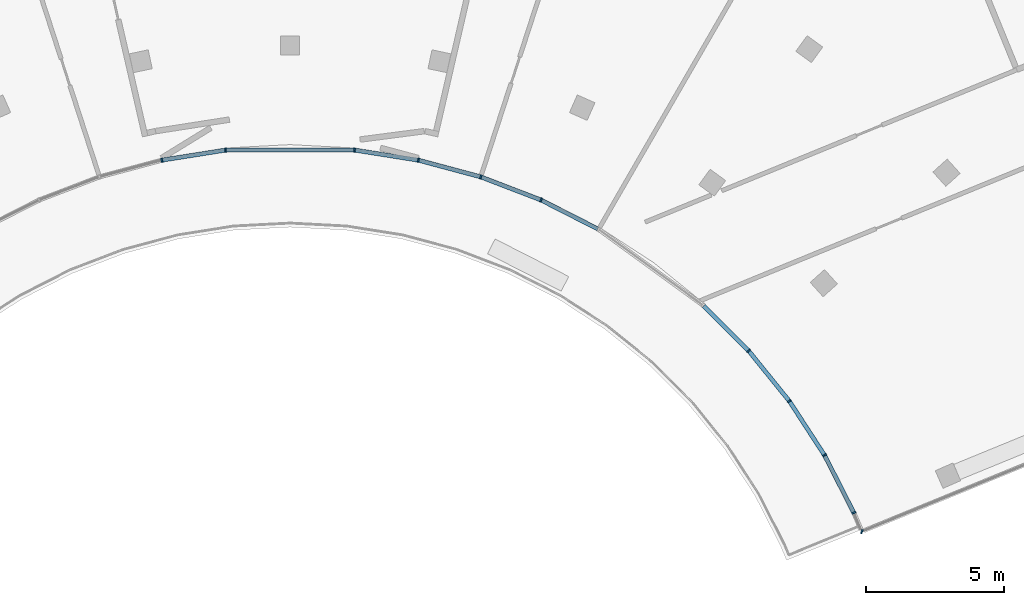
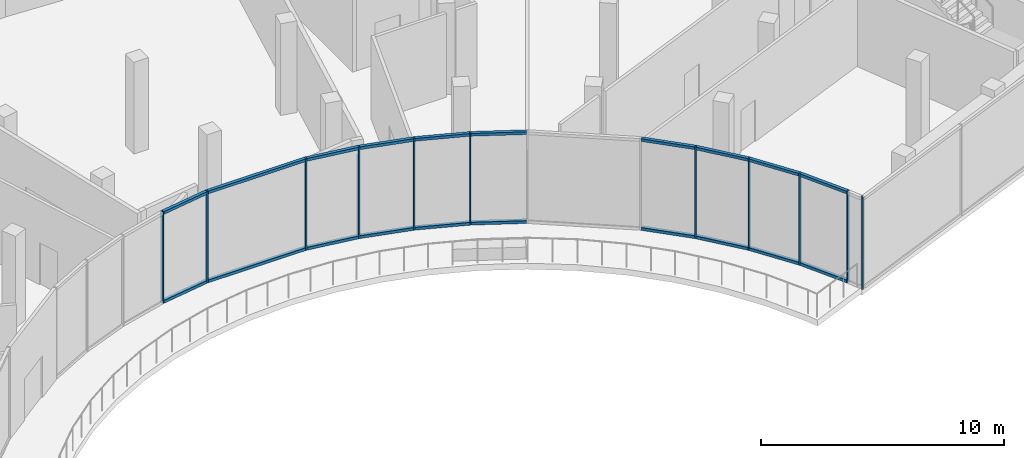
# One storey, part 8 of 40: 31 members, 2 elements without a shape of their own.
"""IFC4 building model written with IfcOpenShell, lengths in metres."""

import ifcopenshell
import ifcopenshell.guid

model = None  # the IFC model being written
_history = None  # IfcOwnerHistory: only IFC2X3 demands one
_inside = {}  # id of a spatial element -> (the spatial element, [elements in it])
_under = {}  # id of a project, library or spatial element -> (it, [spatial elements below it])
_declared = {}  # id of a project -> (the project, [libraries it declares])
_typed = {}  # id of a type object -> (the type object, [elements of that type])
_made_of = {}  # id of a material, layer set ... -> (it, [elements and type objects made of it])


def new_model(schema):
    """Start an empty IFC model of exactly this schema.

    Asked for "IFC4X3", IfcOpenShell would pick the latest addendum, in which some entities
    have other attributes; the version numbers below select the first issue.
    IFC2X3 requires an IfcOwnerHistory on every rooted entity: one is made here for all.
    """
    global model, _history
    if schema == "IFC4X3":
        model = ifcopenshell.file(schema_version=(4, 3, 0, 0))
    else:
        model = ifcopenshell.file(schema=schema)
    _inside.clear()
    _under.clear()
    _declared.clear()
    _typed.clear()
    _made_of.clear()
    _history = None
    if model.schema == "IFC2X3":
        org = make("IfcOrganization", Name="unknown")
        user = make(
            "IfcPersonAndOrganization",
            ThePerson=make("IfcPerson", FamilyName="unknown"),
            TheOrganization=org,
        )
        app = make(
            "IfcApplication",
            ApplicationDeveloper=org,
            Version="unknown",
            ApplicationFullName="unknown",
            ApplicationIdentifier="unknown",
        )
        _history = make(
            "IfcOwnerHistory",
            OwningUser=user,
            OwningApplication=app,
            ChangeAction="ADDED",
            CreationDate=0,
        )
    return model


def make(cls, **values):
    """One entity of the class cls with the attributes given. An attribute that is None is left unset."""
    return model.create_entity(
        cls, **{name: value for name, value in values.items() if value is not None}
    )


def rooted(cls, **values):
    """An entity with a GlobalId (a new one), such as an element, a storey or a relation."""
    return make(cls, GlobalId=ifcopenshell.guid.new(), OwnerHistory=_history, **values)


def si_unit(unit_type, name, prefix=None):
    """IfcSIUnit, for example si_unit("LENGTHUNIT", "METRE", prefix="MILLI")."""
    return make("IfcSIUnit", UnitType=unit_type, Prefix=prefix, Name=name)


def assignment(units):
    """IfcUnitAssignment: the units of a project."""
    return None if units is None else make("IfcUnitAssignment", Units=units)


def point(xyz):
    """IfcCartesianPoint."""
    return None if xyz is None else make("IfcCartesianPoint", Coordinates=xyz)


def direction(xyz):
    """IfcDirection."""
    return None if xyz is None else make("IfcDirection", DirectionRatios=xyz)


def frame(location, z_axis=None, x_axis=None):
    """IfcAxis2Placement3D, a coordinate frame: its origin and axes. An axis left out is left unset."""
    return make(
        "IfcAxis2Placement3D",
        Location=point(location),
        Axis=direction(z_axis),
        RefDirection=direction(x_axis),
    )


def frame_2d(location, x_axis=None):
    """IfcAxis2Placement2D, a coordinate frame in the plane: its origin and x axis."""
    return make(
        "IfcAxis2Placement2D", Location=point(location), RefDirection=direction(x_axis)
    )


def origin():
    """The frame at (0, 0, 0) with its axes left unset."""
    return frame((0.0, 0.0, 0.0))


def origin_2d():
    """The frame at (0, 0) in the plane with its x axis left unset."""
    return frame_2d((0.0, 0.0))


def place(relative_to, where):
    """IfcLocalPlacement: puts the frame where relative to a parent placement (None: the world)."""
    return make(
        "IfcLocalPlacement", PlacementRelTo=relative_to, RelativePlacement=where
    )


def context(
    kind, dimensions, precision=None, world=None, true_north=None, identifier=None
):
    """IfcGeometricRepresentationContext, for example the 3D "Model" context."""
    return make(
        "IfcGeometricRepresentationContext",
        ContextIdentifier=identifier,
        ContextType=kind,
        CoordinateSpaceDimension=dimensions,
        Precision=precision,
        WorldCoordinateSystem=world,
        TrueNorth=true_north,
    )


def subcontext(parent, identifier, kind, view, scale=None):
    """IfcGeometricRepresentationSubContext, for example "Body" below "Model"."""
    return make(
        "IfcGeometricRepresentationSubContext",
        ContextIdentifier=identifier,
        ContextType=kind,
        ParentContext=parent,
        TargetScale=scale,
        TargetView=view,
    )


def project(units=None, contexts=None):
    """IfcProject with its units and contexts."""
    return rooted(
        "IfcProject",
        Name="project",
        RepresentationContexts=contexts,
        UnitsInContext=assignment(units),
    )


def spatial(cls, under=None, at=None, **own):
    """A site, building, storey or space (cls), placed at a placement, below another one or the project."""
    s = rooted(cls, ObjectPlacement=at, **own)
    if under is not None:
        _under.setdefault(under.id(), (under, []))[1].append(s)
    return s


def profile(cls, at=None, kind="AREA", **sizes):
    """A parametric profile (cls). Its sizes go by their IFC names, for example OverallWidth=200.0."""
    return make(cls, ProfileType=kind, Position=at, **sizes)


def rectangle(**sizes):
    """IfcRectangleProfileDef."""
    return profile("IfcRectangleProfileDef", **sizes)


def extrude(swept, where, along, depth):
    """IfcExtrudedAreaSolid: the profile swept, set in the frame where, extruded along a direction by depth."""
    return make(
        "IfcExtrudedAreaSolid",
        SweptArea=swept,
        Position=where,
        ExtrudedDirection=direction(along),
        Depth=depth,
    )


def shape(context_of_items, identifier, shape_type, items):
    """IfcShapeRepresentation: the items that make up one representation, for example the "Body"."""
    return make(
        "IfcShapeRepresentation",
        ContextOfItems=context_of_items,
        RepresentationIdentifier=identifier,
        RepresentationType=shape_type,
        Items=items,
    )


def material(Name=None, Category=None):
    """IfcMaterial."""
    return make("IfcMaterial", Name=Name, Category=Category)


def layer(
    of_material, thickness, ventilated=None, Name=None, Category=None, Priority=None
):
    """IfcMaterialLayer: one layer of a wall or slab, of a material (None: an air gap)."""
    return make(
        "IfcMaterialLayer",
        Material=of_material,
        LayerThickness=thickness,
        IsVentilated=ventilated,
        Name=Name,
        Category=Category,
        Priority=Priority,
    )


def layer_set(layers, Name=None):
    """IfcMaterialLayerSet."""
    return make("IfcMaterialLayerSet", MaterialLayers=layers, LayerSetName=Name)


def material_profile(
    of_material, cross_section, Name=None, Category=None, Priority=None
):
    """IfcMaterialProfile: a cross section and its material."""
    return make(
        "IfcMaterialProfile",
        Name=Name,
        Material=of_material,
        Profile=cross_section,
        Priority=Priority,
        Category=Category,
    )


def profile_set(profiles, Name=None, composite=None):
    """IfcMaterialProfileSet."""
    return make(
        "IfcMaterialProfileSet",
        Name=Name,
        MaterialProfiles=profiles,
        CompositeProfile=composite,
    )


def made_of(thing, what):
    """Note that an element or type object is made of a material, layer set ...; save() writes the relation."""
    if what is not None:
        _made_of.setdefault(what.id(), (what, []))[1].append(thing)
    return thing


def type_object(cls, material=None, **own):
    """A type object (cls), such as IfcWallType, which elements share."""
    return made_of(rooted(cls, **own), material)


def element(
    cls,
    number,
    at=None,
    inside=None,
    cuts=None,
    type_object=None,
    material=None,
    context=None,
    identifier="Body",
    shape_type=None,
    held_by="IfcProductDefinitionShape",
    body=None,
    shapes=None,
    **own,
):
    """One element of the class cls, such as IfcWall. Its Tag is "e" and its number.

    at: its placement. inside: the storey or other place that contains it. cuts: it is an
    opening in that element (IfcRelVoidsElement). A single representation is given by context,
    identifier, shape_type and body (its items); several are given by shapes. held_by: the class
    of the entity that holds the representations. save() writes the other relations.
    """
    e = rooted(cls, Tag="e%d" % number, ObjectPlacement=at, **own)
    if body is not None:
        shapes = [shape(context, identifier, shape_type, body)]
    if shapes is not None:
        e.Representation = make(held_by, Representations=shapes)
    if inside is not None:
        _inside.setdefault(inside.id(), (inside, []))[1].append(e)
    if cuts is not None:
        rooted(
            "IfcRelVoidsElement", RelatingBuildingElement=cuts, RelatedOpeningElement=e
        )
    if type_object is not None:
        _typed.setdefault(type_object.id(), (type_object, []))[1].append(e)
    return made_of(e, material)


def aggregate(whole, parts):
    """IfcRelAggregates: a whole, such as a stair, and the parts it consists of."""
    return rooted("IfcRelAggregates", RelatingObject=whole, RelatedObjects=parts)


def save(model, path):
    """Write the relations noted so far, then the file.

    IfcRelAggregates (storeys below a building ...), IfcRelContainedInSpatialStructure (elements
    in a storey), IfcRelDefinesByType, IfcRelAssociatesMaterial and IfcRelDeclares: one each for
    every whole, place, type object, material and project.
    """
    for whole, parts in _under.values():
        aggregate(whole, parts)
    for where, things in _inside.values():
        rooted(
            "IfcRelContainedInSpatialStructure",
            RelatedElements=things,
            RelatingStructure=where,
        )
    for kind, things in _typed.values():
        rooted("IfcRelDefinesByType", RelatedObjects=things, RelatingType=kind)
    for what, things in _made_of.values():
        rooted("IfcRelAssociatesMaterial", RelatedObjects=things, RelatingMaterial=what)
    for by, libraries in _declared.values():
        rooted("IfcRelDeclares", RelatingContext=by, RelatedDefinitions=libraries)
    model.write(path)


model = new_model("IFC4")

# Units and contexts
model_context = context("Model", 3, precision=1e-05, world=origin(), true_north=direction((0.0, 1.0)))
body_context = subcontext(model_context, "Body", "Model", "MODEL_VIEW")
ifc_project = project(units=[si_unit("LENGTHUNIT", "METRE"), si_unit("AREAUNIT", "SQUARE_METRE"), si_unit("VOLUMEUNIT", "CUBIC_METRE"), si_unit("PLANEANGLEUNIT", "RADIAN"), si_unit("MASSUNIT", "GRAM", prefix="KILO")], contexts=[model_context])

# Site, building, storey
site_placement = place(None, origin())
site = spatial("IfcSite", under=ifc_project, at=site_placement, CompositionType="ELEMENT")
building_placement = place(site_placement, origin())
building = spatial("IfcBuilding", under=site, at=building_placement, Name="Stone Belt Terrace Tower", CompositionType="ELEMENT")
storey_placement = place(building_placement, frame((0.0, 0.0, 11.60009765625)))
storey = spatial("IfcBuildingStorey", under=building, at=storey_placement, Name="L02", CompositionType="ELEMENT", Elevation=11.60009765625)

# Curtain wall, members
ifc_material = material(Name="Aluminium 6063-T6 anodised frame", Category="aluminium")
ifc_layer = layer(ifc_material, 0.14990234375)
ifc_layer_set = layer_set([ifc_layer], Name="CW-D podium shopfront")
curtain_wall_type = type_object("IfcCurtainWallType", Name="CW-D podium shopfront", PredefinedType="NOTDEFINED", material=ifc_layer_set)
curtain_wall_1_placement = place(storey_placement, origin())
curtain_wall_1 = element("IfcCurtainWall", 1, at=curtain_wall_1_placement, inside=storey, type_object=curtain_wall_type, Name="CW-D concave face L02", PredefinedType="NOTDEFINED")
ifc_material_profile_1 = material_profile(ifc_material, rectangle(XDim=0.14990234375, YDim=0.06005859375, at=origin_2d()), Name="Aluminium 6063-T6 60x150")
ifc_profile_set_1 = profile_set([ifc_material_profile_1], Name="Aluminium 6063-T6 anodised frame")
member_type_1 = type_object("IfcMemberType", Name="CW-D mullion 60 x 150", PredefinedType="MULLION", material=ifc_profile_set_1)
member_1_placement = place(storey_placement, frame((-4.662353515625, 21.934814453125, 0.0), z_axis=(0.0, 0.0, 1.0), x_axis=(-0.207911690818, 0.978147600734, 0.0)))
member_1 = element("IfcMember", 2, at=member_1_placement, type_object=member_type_1, Name="CW-D mullion 10", PredefinedType="MULLION", context=body_context, shape_type="SweptSolid", body=[
    extrude(rectangle(XDim=0.14990234375, YDim=0.06005859375, at=origin_2d()), origin(), (0.0, 0.0, 1.0), 4.599853515625),
])
member_2_placement = place(storey_placement, frame((-2.345947265625, 22.3017578125, 0.0), z_axis=(0.0, 0.0, 1.0), x_axis=(-0.078459095728, 0.996917333733, 0.0)))
member_2 = element("IfcMember", 3, at=member_2_placement, type_object=member_type_1, Name="CW-D mullion 11", PredefinedType="MULLION", context=body_context, shape_type="SweptSolid", body=[
    extrude(rectangle(XDim=0.14990234375, YDim=0.06005859375, at=origin_2d()), origin(), (0.0, 0.0, 1.0), 4.599853515625),
])
member_3_placement = place(storey_placement, frame((2.345947265625, 22.3017578125, 0.0), z_axis=(0.0, 0.0, 1.0), x_axis=(0.078459095728, 0.996917333733, 0.0)))
member_3 = element("IfcMember", 4, at=member_3_placement, type_object=member_type_1, Name="CW-D mullion 12", PredefinedType="MULLION", context=body_context, shape_type="SweptSolid", body=[
    extrude(rectangle(XDim=0.14990234375, YDim=0.06005859375, at=origin_2d()), origin(), (0.0, 0.0, 1.0), 4.599853515625),
])
member_4_placement = place(storey_placement, frame((4.662353515625, 21.934814453125, 0.0), z_axis=(0.0, 0.0, 1.0), x_axis=(0.207911690818, 0.978147600734, 0.0)))
member_4 = element("IfcMember", 5, at=member_4_placement, type_object=member_type_1, Name="CW-D mullion 13", PredefinedType="MULLION", context=body_context, shape_type="SweptSolid", body=[
    extrude(rectangle(XDim=0.14990234375, YDim=0.06005859375, at=origin_2d()), origin(), (0.0, 0.0, 1.0), 4.599853515625),
])
member_5_placement = place(storey_placement, frame((6.9296875, 21.327392578125, 0.0), z_axis=(0.0, 0.0, 1.0), x_axis=(0.309016994375, 0.951056516295, 0.0)))
member_5 = element("IfcMember", 6, at=member_5_placement, type_object=member_type_1, Name="CW-D mullion 14", PredefinedType="MULLION", context=body_context, shape_type="SweptSolid", body=[
    extrude(rectangle(XDim=0.14990234375, YDim=0.06005859375, at=origin_2d()), origin(), (0.0, 0.0, 1.0), 4.599853515625),
])
member_6_placement = place(storey_placement, frame((9.12109375, 20.486083984375, 0.0), z_axis=(0.0, 0.0, 1.0), x_axis=(0.406736643076, 0.913545457643, 0.0)))
member_6 = element("IfcMember", 7, at=member_6_placement, type_object=member_type_1, Name="CW-D mullion 15", PredefinedType="MULLION", context=body_context, shape_type="SweptSolid", body=[
    extrude(rectangle(XDim=0.14990234375, YDim=0.06005859375, at=origin_2d()), origin(), (0.0, 0.0, 1.0), 4.599853515625),
])
member_7_placement = place(storey_placement, frame((16.6650390625, 15.005126953125, 0.0), z_axis=(0.0, 0.0, 1.0), x_axis=(0.743144825477, 0.669130606359, 0.0)))
member_7 = element("IfcMember", 8, at=member_7_placement, type_object=member_type_1, Name="CW-D mullion 18", PredefinedType="MULLION", context=body_context, shape_type="SweptSolid", body=[
    extrude(rectangle(XDim=0.14990234375, YDim=0.06005859375, at=origin_2d()), origin(), (0.0, 0.0, 1.0), 4.599853515625),
])
member_8_placement = place(storey_placement, frame((18.14208984375, 13.180908203125, 0.0), z_axis=(0.0, 0.0, 1.0), x_axis=(0.809016994375, 0.587785252292, 0.0)))
member_8 = element("IfcMember", 9, at=member_8_placement, type_object=member_type_1, Name="CW-D mullion 19", PredefinedType="MULLION", context=body_context, shape_type="SweptSolid", body=[
    extrude(rectangle(XDim=0.14990234375, YDim=0.06005859375, at=origin_2d()), origin(), (0.0, 0.0, 1.0), 4.599853515625),
])
member_9_placement = place(storey_placement, frame((19.42041015625, 11.21240234375, 0.0), z_axis=(0.0, 0.0, 1.0), x_axis=(0.866025403784, 0.5, 0.0)))
member_9 = element("IfcMember", 10, at=member_9_placement, type_object=member_type_1, Name="CW-D mullion 20", PredefinedType="MULLION", context=body_context, shape_type="SweptSolid", body=[
    extrude(rectangle(XDim=0.14990234375, YDim=0.06005859375, at=origin_2d()), origin(), (0.0, 0.0, 1.0), 4.599853515625),
])
member_10_placement = place(storey_placement, frame((20.48681640625, 9.119873046875, 0.0), z_axis=(0.0, 0.0, 1.0), x_axis=(0.905778201442, 0.423752108895, 0.0)))
member_10 = element("IfcMember", 11, at=member_10_placement, type_object=member_type_1, Name="CW-D mullion 21", PredefinedType="MULLION", context=body_context, shape_type="SweptSolid", body=[
    extrude(rectangle(XDim=0.14990234375, YDim=0.06005859375, at=origin_2d()), origin(), (0.0, 0.0, 1.0), 4.599853515625),
])

# Curtain wall, member
curtain_wall_2_placement = place(storey_placement, origin())
curtain_wall_2 = element("IfcCurtainWall", 12, at=curtain_wall_2_placement, inside=storey, type_object=curtain_wall_type, Name="CW-D end face L02", PredefinedType="NOTDEFINED")
member_11_placement = place(storey_placement, frame((20.779296875, 8.435546875, 0.0), z_axis=(0.0, 0.0, 1.0), x_axis=(0.379212239192, 0.925309719849, 0.0)))
member_11 = element("IfcMember", 13, at=member_11_placement, type_object=member_type_1, Name="CW-D mullion 1", PredefinedType="MULLION", context=body_context, shape_type="SweptSolid", body=[
    extrude(rectangle(XDim=0.14990234375, YDim=0.06005859375, at=origin_2d()), origin(), (0.0, 0.0, 1.0), 4.599853515625),
])
aggregate(curtain_wall_2, [member_11])

# Member
ifc_material_profile_2 = material_profile(ifc_material, rectangle(XDim=0.14990234375, YDim=0.139892578125, at=origin_2d()), Name="Aluminium 6063-T6 150x140")
ifc_profile_set_2 = profile_set([ifc_material_profile_2], Name="Aluminium 6063-T6 anodised frame")
member_type_2 = type_object("IfcMemberType", Name="CW-D transom 140 x 150", PredefinedType="USERDEFINED", material=ifc_profile_set_2)
member_12_placement = place(storey_placement, frame((-4.62890625, 21.940185546875, 0.06982421875), z_axis=(0.987689785352, 0.156425342933, 0.0), x_axis=(-0.156425342933, 0.987689785352, 0.0)))
member_12 = element("IfcMember", 14, at=member_12_placement, type_object=member_type_2, Name="CW-D transom 10.1", ObjectType="TRANSOM", PredefinedType="USERDEFINED", context=body_context, shape_type="SweptSolid", body=[
    extrude(rectangle(XDim=0.14990234375, YDim=0.139892578125, at=origin_2d()), origin(), (0.0, 0.0, 1.0), 2.275634765625),
])

member_13_placement = place(storey_placement, frame((-4.62890625, 21.940185546875, 4.52978515625), z_axis=(0.987689785352, 0.156425342933, 0.0), x_axis=(-0.156425342933, 0.987689785352, 0.0)))
member_13 = element("IfcMember", 15, at=member_13_placement, type_object=member_type_2, Name="CW-D transom 10.2", ObjectType="TRANSOM", PredefinedType="USERDEFINED", context=body_context, shape_type="SweptSolid", body=[
    extrude(rectangle(XDim=0.14990234375, YDim=0.139892578125, at=origin_2d()), origin(), (0.0, 0.0, 1.0), 2.275634765625),
])

member_14_placement = place(storey_placement, frame((-2.310302734375, 22.3017578125, 0.06982421875), z_axis=(1.0, 0.0, 0.0), x_axis=(0.0, 1.0, 0.0)))
member_14 = element("IfcMember", 16, at=member_14_placement, type_object=member_type_2, Name="CW-D transom 11.1", ObjectType="TRANSOM", PredefinedType="USERDEFINED", context=body_context, shape_type="SweptSolid", body=[
    extrude(rectangle(XDim=0.14990234375, YDim=0.139892578125, at=origin_2d()), origin(), (0.0, 0.0, 1.0), 4.62060546875),
])

member_15_placement = place(storey_placement, frame((-2.310302734375, 22.3017578125, 4.52978515625), z_axis=(1.0, 0.0, 0.0), x_axis=(0.0, 1.0, 0.0)))
member_15 = element("IfcMember", 17, at=member_15_placement, type_object=member_type_2, Name="CW-D transom 11.2", ObjectType="TRANSOM", PredefinedType="USERDEFINED", context=body_context, shape_type="SweptSolid", body=[
    extrude(rectangle(XDim=0.14990234375, YDim=0.139892578125, at=origin_2d()), origin(), (0.0, 0.0, 1.0), 4.62060546875),
])

member_16_placement = place(storey_placement, frame((2.38134765625, 22.296142578125, 0.06982421875), z_axis=(0.987689785352, -0.156425342933, 0.0), x_axis=(0.156425342933, 0.987689785352, 0.0)))
member_16 = element("IfcMember", 18, at=member_16_placement, type_object=member_type_2, Name="CW-D transom 12.1", ObjectType="TRANSOM", PredefinedType="USERDEFINED", context=body_context, shape_type="SweptSolid", body=[
    extrude(rectangle(XDim=0.14990234375, YDim=0.139892578125, at=origin_2d()), origin(), (0.0, 0.0, 1.0), 2.275634765625),
])

member_17_placement = place(storey_placement, frame((2.38134765625, 22.296142578125, 4.52978515625), z_axis=(0.987689785352, -0.156425342933, 0.0), x_axis=(0.156425342933, 0.987689785352, 0.0)))
member_17 = element("IfcMember", 19, at=member_17_placement, type_object=member_type_2, Name="CW-D transom 12.2", ObjectType="TRANSOM", PredefinedType="USERDEFINED", context=body_context, shape_type="SweptSolid", body=[
    extrude(rectangle(XDim=0.14990234375, YDim=0.139892578125, at=origin_2d()), origin(), (0.0, 0.0, 1.0), 2.275634765625),
])

member_18_placement = place(storey_placement, frame((4.695068359375, 21.926025390625, 0.06982421875), z_axis=(0.965942793451, -0.258755714489, 0.0), x_axis=(0.258755714489, 0.965942793451, 0.0)))
member_18 = element("IfcMember", 20, at=member_18_placement, type_object=member_type_2, Name="CW-D transom 13.1", ObjectType="TRANSOM", PredefinedType="USERDEFINED", context=body_context, shape_type="SweptSolid", body=[
    extrude(rectangle(XDim=0.14990234375, YDim=0.139892578125, at=origin_2d()), origin(), (0.0, 0.0, 1.0), 2.279541015625),
])

member_19_placement = place(storey_placement, frame((4.695068359375, 21.926025390625, 4.52978515625), z_axis=(0.965942793451, -0.258755714489, 0.0), x_axis=(0.258755714489, 0.965942793451, 0.0)))
member_19 = element("IfcMember", 21, at=member_19_placement, type_object=member_type_2, Name="CW-D transom 13.2", ObjectType="TRANSOM", PredefinedType="USERDEFINED", context=body_context, shape_type="SweptSolid", body=[
    extrude(rectangle(XDim=0.14990234375, YDim=0.139892578125, at=origin_2d()), origin(), (0.0, 0.0, 1.0), 2.279541015625),
])

member_20_placement = place(storey_placement, frame((6.96142578125, 21.315185546875, 0.06982421875), z_axis=(0.933571787381, -0.358390454403, 0.0), x_axis=(0.358390454403, 0.933571787381, 0.0)))
member_20 = element("IfcMember", 22, at=member_20_placement, type_object=member_type_2, Name="CW-D transom 14.1", ObjectType="TRANSOM", PredefinedType="USERDEFINED", context=body_context, shape_type="SweptSolid", body=[
    extrude(rectangle(XDim=0.14990234375, YDim=0.139892578125, at=origin_2d()), origin(), (0.0, 0.0, 1.0), 2.279296875),
])

member_21_placement = place(storey_placement, frame((6.96142578125, 21.315185546875, 4.52978515625), z_axis=(0.933571787381, -0.358390454403, 0.0), x_axis=(0.358390454403, 0.933571787381, 0.0)))
member_21 = element("IfcMember", 23, at=member_21_placement, type_object=member_type_2, Name="CW-D transom 14.2", ObjectType="TRANSOM", PredefinedType="USERDEFINED", context=body_context, shape_type="SweptSolid", body=[
    extrude(rectangle(XDim=0.14990234375, YDim=0.139892578125, at=origin_2d()), origin(), (0.0, 0.0, 1.0), 2.279296875),
])

member_22_placement = place(storey_placement, frame((9.151123046875, 20.470703125, 0.06982421875), z_axis=(0.891032946635, -0.453938639038, 0.0), x_axis=(0.453938639038, 0.891032946635, 0.0)))
member_22 = element("IfcMember", 24, at=member_22_placement, type_object=member_type_2, Name="CW-D transom 15.1", ObjectType="TRANSOM", PredefinedType="USERDEFINED", context=body_context, shape_type="SweptSolid", body=[
    extrude(rectangle(XDim=0.14990234375, YDim=0.139892578125, at=origin_2d()), origin(), (0.0, 0.0, 1.0), 2.275634765625),
])

member_23_placement = place(storey_placement, frame((9.151123046875, 20.470703125, 4.52978515625), z_axis=(0.891032946635, -0.453938639038, 0.0), x_axis=(0.453938639038, 0.891032946635, 0.0)))
member_23 = element("IfcMember", 25, at=member_23_placement, type_object=member_type_2, Name="CW-D transom 15.2", ObjectType="TRANSOM", PredefinedType="USERDEFINED", context=body_context, shape_type="SweptSolid", body=[
    extrude(rectangle(XDim=0.14990234375, YDim=0.139892578125, at=origin_2d()), origin(), (0.0, 0.0, 1.0), 2.275634765625),
])

member_24_placement = place(storey_placement, frame((15.031982421875, 16.63818359375, 0.06982421875), z_axis=(0.707053133239, -0.707160425065, 0.0), x_axis=(0.707160425065, 0.707053133239, 0.0)))
member_24 = element("IfcMember", 26, at=member_24_placement, type_object=member_type_2, Name="CW-D transom 17.1", ObjectType="TRANSOM", PredefinedType="USERDEFINED", context=body_context, shape_type="SweptSolid", body=[
    extrude(rectangle(XDim=0.14990234375, YDim=0.139892578125, at=origin_2d()), origin(), (0.0, 0.0, 1.0), 2.275390625),
])

member_25_placement = place(storey_placement, frame((15.031982421875, 16.63818359375, 4.52978515625), z_axis=(0.707053133239, -0.707160425065, 0.0), x_axis=(0.707160425065, 0.707053133239, 0.0)))
member_25 = element("IfcMember", 27, at=member_25_placement, type_object=member_type_2, Name="CW-D transom 17.2", ObjectType="TRANSOM", PredefinedType="USERDEFINED", context=body_context, shape_type="SweptSolid", body=[
    extrude(rectangle(XDim=0.14990234375, YDim=0.139892578125, at=origin_2d()), origin(), (0.0, 0.0, 1.0), 2.275390625),
])

member_26_placement = place(storey_placement, frame((16.686279296875, 14.978759765625, 0.06982421875), z_axis=(0.629333784345, -0.77713511559, 0.0), x_axis=(0.77713511559, 0.629333784345, 0.0)))
member_26 = element("IfcMember", 28, at=member_26_placement, type_object=member_type_2, Name="CW-D transom 18.1", ObjectType="TRANSOM", PredefinedType="USERDEFINED", context=body_context, shape_type="SweptSolid", body=[
    extrude(rectangle(XDim=0.14990234375, YDim=0.139892578125, at=origin_2d()), origin(), (0.0, 0.0, 1.0), 2.279541015625),
])

member_27_placement = place(storey_placement, frame((16.686279296875, 14.978759765625, 4.52978515625), z_axis=(0.629333784345, -0.77713511559, 0.0), x_axis=(0.77713511559, 0.629333784345, 0.0)))
member_27 = element("IfcMember", 29, at=member_27_placement, type_object=member_type_2, Name="CW-D transom 18.2", ObjectType="TRANSOM", PredefinedType="USERDEFINED", context=body_context, shape_type="SweptSolid", body=[
    extrude(rectangle(XDim=0.14990234375, YDim=0.139892578125, at=origin_2d()), origin(), (0.0, 0.0, 1.0), 2.279541015625),
])

member_28_placement = place(storey_placement, frame((18.16064453125, 13.152587890625, 0.06982421875), z_axis=(0.544649472572, -0.838663789624, 0.0), x_axis=(0.838663789624, 0.544649472572, 0.0)))
member_28 = element("IfcMember", 30, at=member_28_placement, type_object=member_type_2, Name="CW-D transom 19.1", ObjectType="TRANSOM", PredefinedType="USERDEFINED", context=body_context, shape_type="SweptSolid", body=[
    extrude(rectangle(XDim=0.14990234375, YDim=0.139892578125, at=origin_2d()), origin(), (0.0, 0.0, 1.0), 2.279296875),
])

member_29_placement = place(storey_placement, frame((18.16064453125, 13.152587890625, 4.52978515625), z_axis=(0.544649472572, -0.838663789624, 0.0), x_axis=(0.838663789624, 0.544649472572, 0.0)))
member_29 = element("IfcMember", 31, at=member_29_placement, type_object=member_type_2, Name="CW-D transom 19.2", ObjectType="TRANSOM", PredefinedType="USERDEFINED", context=body_context, shape_type="SweptSolid", body=[
    extrude(rectangle(XDim=0.14990234375, YDim=0.139892578125, at=origin_2d()), origin(), (0.0, 0.0, 1.0), 2.279296875),
])

member_30_placement = place(storey_placement, frame((19.43603515625, 11.182373046875, 0.06982421875), z_axis=(0.45387610501, -0.891064801965, 0.0), x_axis=(0.891064801965, 0.45387610501, 0.0)))
member_30 = element("IfcMember", 32, at=member_30_placement, type_object=member_type_2, Name="CW-D transom 20.1", ObjectType="TRANSOM", PredefinedType="USERDEFINED", context=body_context, shape_type="SweptSolid", body=[
    extrude(rectangle(XDim=0.14990234375, YDim=0.139892578125, at=origin_2d()), origin(), (0.0, 0.0, 1.0), 2.2822265625),
])

member_31_placement = place(storey_placement, frame((19.43603515625, 11.182373046875, 4.52978515625), z_axis=(0.45387610501, -0.891064801965, 0.0), x_axis=(0.891064801965, 0.45387610501, 0.0)))
member_31 = element("IfcMember", 33, at=member_31_placement, type_object=member_type_2, Name="CW-D transom 20.2", ObjectType="TRANSOM", PredefinedType="USERDEFINED", context=body_context, shape_type="SweptSolid", body=[
    extrude(rectangle(XDim=0.14990234375, YDim=0.139892578125, at=origin_2d()), origin(), (0.0, 0.0, 1.0), 2.2822265625),
])

aggregate(curtain_wall_1, [member_1, member_2, member_3, member_4, member_5, member_6, member_7, member_8, member_9, member_10, member_12, member_13, member_14, member_15, member_16, member_17, member_18, member_19, member_20, member_21, member_22, member_23, member_24, member_25, member_26, member_27, member_28, member_29, member_30, member_31])

save(model, "model.ifc")
